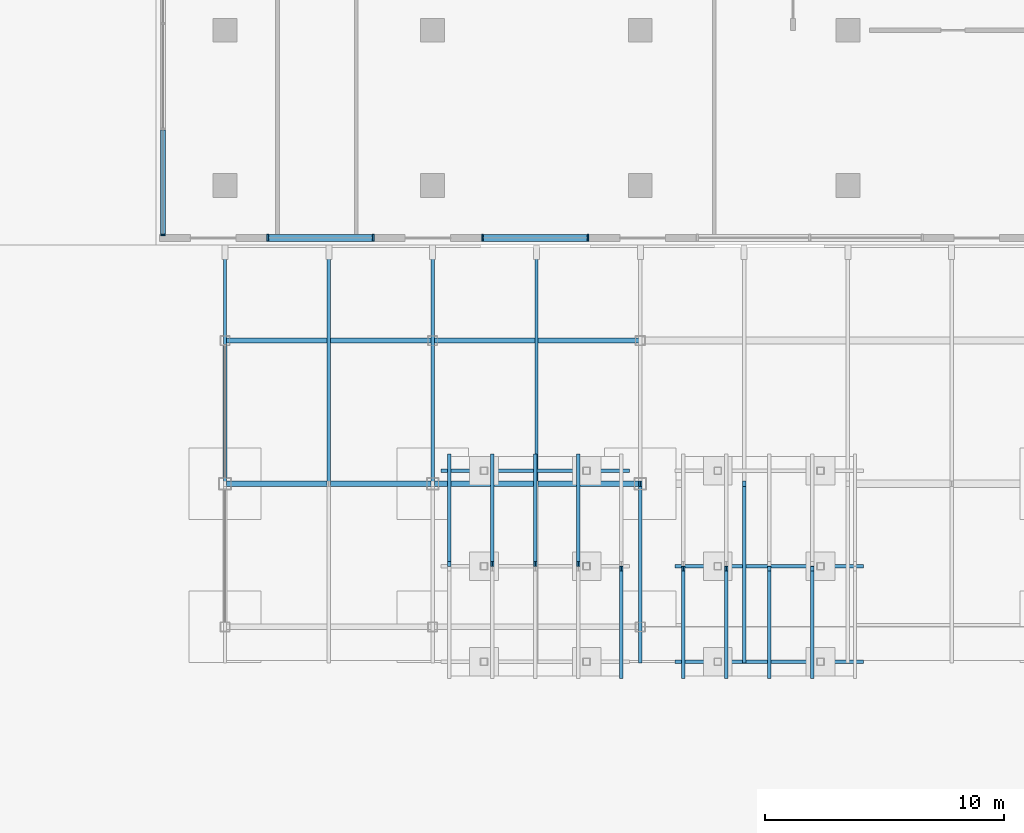
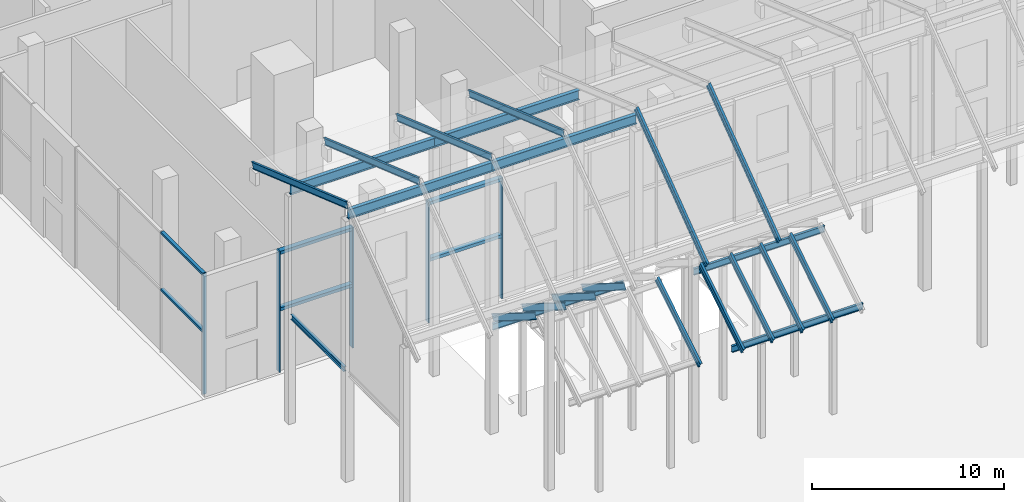
# One storey, part 8 of 31: 23 beams, 11 members, 3 elements without a shape of their own.
"""IFC4 building model written with IfcOpenShell, lengths in metres."""

from ifc_helpers import new_model, si_unit, direction, frame, origin, origin_2d, place, context, subcontext, project, spatial, rectangle, i_section, extrude, material, material_profile, profile_set, type_object, element, aggregate, save


model = new_model("IFC4")

# Units and contexts
model_context = context("Model", 3, precision=1e-05, world=origin(), true_north=direction((0.0, 1.0)))
body_context = subcontext(model_context, "Body", "Model", "MODEL_VIEW")
ifc_project = project(units=[si_unit("LENGTHUNIT", "METRE"), si_unit("AREAUNIT", "SQUARE_METRE"), si_unit("VOLUMEUNIT", "CUBIC_METRE"), si_unit("PLANEANGLEUNIT", "RADIAN"), si_unit("MASSUNIT", "GRAM", prefix="KILO")], contexts=[model_context])

# Site, building, storey
site_placement = place(None, origin())
site = spatial("IfcSite", under=ifc_project, at=site_placement, CompositionType="ELEMENT")
building_placement = place(site_placement, origin())
building = spatial("IfcBuilding", under=site, at=building_placement, Name="Bicima Exchange Tower", CompositionType="ELEMENT")
storey_placement = place(building_placement, origin())
storey = spatial("IfcBuildingStorey", under=building, at=storey_placement, Name="L00", CompositionType="ELEMENT", Elevation=0.0)

# Curtain wall, members
ifc_material_1 = material(Name="Stainless steel", Category="steel")
curtain_wall_type_1 = type_object("IfcCurtainWallType", Name="Hall structural glazing", PredefinedType="NOTDEFINED", material=ifc_material_1)
curtain_wall_1_placement = place(storey_placement, origin())
curtain_wall_1 = element("IfcCurtainWall", 1, at=curtain_wall_1_placement, inside=storey, type_object=curtain_wall_type_1, Name="Podium glazing L00 south 2", PredefinedType="NOTDEFINED")
ifc_material_profile_1 = material_profile(ifc_material_1, rectangle(XDim=0.300048828125, YDim=0.080078125, at=origin_2d()))
ifc_profile_set_1 = profile_set([ifc_material_profile_1], Name="Stainless steel")
member_type_1 = type_object("IfcMemberType", Name="Hall structural glazing mullion 80 x 300", PredefinedType="MULLION", material=ifc_profile_set_1)
member_1_placement = place(storey_placement, frame((-41.7099609375, -53.699951171875, 0.0), z_axis=(0.0, 0.0, 1.0), x_axis=(0.0, 1.0, 0.0)))
member_1 = element("IfcMember", 2, at=member_1_placement, type_object=member_type_1, Name="Hall structural glazing mullion 1", PredefinedType="MULLION", context=body_context, shape_type="SweptSolid", body=[
    extrude(rectangle(XDim=0.300048828125, YDim=0.080078125, at=origin_2d()), origin(), (0.0, 0.0, 1.0), 7.699951171875),
])
member_2_placement = place(storey_placement, frame((-37.2900390625, -53.699951171875, 0.0), z_axis=(0.0, 0.0, 1.0), x_axis=(0.0, 1.0, 0.0)))
member_2 = element("IfcMember", 3, at=member_2_placement, type_object=member_type_1, Name="Hall structural glazing mullion 2", PredefinedType="MULLION", context=body_context, shape_type="SweptSolid", body=[
    extrude(rectangle(XDim=0.300048828125, YDim=0.080078125, at=origin_2d()), origin(), (0.0, 0.0, 1.0), 7.699951171875),
])

curtain_wall_2_placement = place(storey_placement, origin())
curtain_wall_2 = element("IfcCurtainWall", 4, at=curtain_wall_2_placement, inside=storey, type_object=curtain_wall_type_1, Name="Podium glazing L00 south 4", PredefinedType="NOTDEFINED")
member_3_placement = place(storey_placement, frame((-32.7099609375, -53.699951171875, 0.0), z_axis=(0.0, 0.0, 1.0), x_axis=(0.0, 1.0, 0.0)))
member_3 = element("IfcMember", 5, at=member_3_placement, type_object=member_type_1, Name="Hall structural glazing mullion 1", PredefinedType="MULLION", context=body_context, shape_type="SweptSolid", body=[
    extrude(rectangle(XDim=0.300048828125, YDim=0.080078125, at=origin_2d()), origin(), (0.0, 0.0, 1.0), 7.699951171875),
])
member_4_placement = place(storey_placement, frame((-28.2900390625, -53.699951171875, 0.0), z_axis=(0.0, 0.0, 1.0), x_axis=(0.0, 1.0, 0.0)))
member_4 = element("IfcMember", 6, at=member_4_placement, type_object=member_type_1, Name="Hall structural glazing mullion 2", PredefinedType="MULLION", context=body_context, shape_type="SweptSolid", body=[
    extrude(rectangle(XDim=0.300048828125, YDim=0.080078125, at=origin_2d()), origin(), (0.0, 0.0, 1.0), 7.699951171875),
])

# Member
ifc_material_profile_2 = material_profile(ifc_material_1, rectangle(XDim=0.300048828125, YDim=0.199951171875, at=origin_2d()))
ifc_profile_set_2 = profile_set([ifc_material_profile_2], Name="Stainless steel")
member_type_2 = type_object("IfcMemberType", Name="Hall structural glazing transom 200 x 300", PredefinedType="USERDEFINED", material=ifc_profile_set_2)
member_5_placement = place(storey_placement, frame((-41.669921875, -53.699951171875, 4.0), z_axis=(1.0, 0.0, 0.0), x_axis=(0.0, 1.0, 0.0)))
member_5 = element("IfcMember", 7, at=member_5_placement, type_object=member_type_2, Name="Hall structural glazing transom 1.1", ObjectType="TRANSOM", PredefinedType="USERDEFINED", context=body_context, shape_type="SweptSolid", body=[
    extrude(rectangle(XDim=0.300048828125, YDim=0.199951171875, at=origin_2d()), origin(), (0.0, 0.0, 1.0), 4.33984375),
])

member_6_placement = place(storey_placement, frame((-41.669921875, -53.699951171875, 7.60009765625), z_axis=(1.0, 0.0, 0.0), x_axis=(0.0, 1.0, 0.0)))
member_6 = element("IfcMember", 8, at=member_6_placement, type_object=member_type_2, Name="Hall structural glazing transom 1.2", ObjectType="TRANSOM", PredefinedType="USERDEFINED", context=body_context, shape_type="SweptSolid", body=[
    extrude(rectangle(XDim=0.300048828125, YDim=0.199951171875, at=origin_2d()), origin(), (0.0, 0.0, 1.0), 4.33984375),
])

aggregate(curtain_wall_1, [member_1, member_2, member_5, member_6])

member_7_placement = place(storey_placement, frame((-32.669921875, -53.699951171875, 4.0), z_axis=(1.0, 0.0, 0.0), x_axis=(0.0, 1.0, 0.0)))
member_7 = element("IfcMember", 9, at=member_7_placement, type_object=member_type_2, Name="Hall structural glazing transom 1.1", ObjectType="TRANSOM", PredefinedType="USERDEFINED", context=body_context, shape_type="SweptSolid", body=[
    extrude(rectangle(XDim=0.300048828125, YDim=0.199951171875, at=origin_2d()), origin(), (0.0, 0.0, 1.0), 4.33984375),
])

member_8_placement = place(storey_placement, frame((-32.669921875, -53.699951171875, 7.60009765625), z_axis=(1.0, 0.0, 0.0), x_axis=(0.0, 1.0, 0.0)))
member_8 = element("IfcMember", 10, at=member_8_placement, type_object=member_type_2, Name="Hall structural glazing transom 1.2", ObjectType="TRANSOM", PredefinedType="USERDEFINED", context=body_context, shape_type="SweptSolid", body=[
    extrude(rectangle(XDim=0.300048828125, YDim=0.199951171875, at=origin_2d()), origin(), (0.0, 0.0, 1.0), 4.33984375),
])

aggregate(curtain_wall_2, [member_3, member_4, member_7, member_8])

# Curtain wall, members
ifc_material_2 = material(Name="Anodised bronze aluminium", Category="aluminium")
curtain_wall_type_2 = type_object("IfcCurtainWallType", Name="Lobby glazing", PredefinedType="NOTDEFINED", material=ifc_material_2)
curtain_wall_3_placement = place(storey_placement, origin())
curtain_wall_3 = element("IfcCurtainWall", 11, at=curtain_wall_3_placement, inside=storey, type_object=curtain_wall_type_2, Name="Podium glazing L00 west 8", PredefinedType="NOTDEFINED")
ifc_material_profile_3 = material_profile(ifc_material_2, rectangle(XDim=0.199951171875, YDim=0.06005859375, at=origin_2d()))
ifc_profile_set_3 = profile_set([ifc_material_profile_3], Name="Anodised bronze aluminium")
member_type_3 = type_object("IfcMemberType", Name="Lobby glazing mullion 60 x 200", PredefinedType="MULLION", material=ifc_profile_set_3)
member_9_placement = place(storey_placement, frame((-46.10009765625, -53.570068359375, 0.0), z_axis=(0.0, 0.0, 1.0), x_axis=(1.0, 0.0, 0.0)))
member_9 = element("IfcMember", 12, at=member_9_placement, type_object=member_type_3, Name="Lobby glazing mullion 4", PredefinedType="MULLION", context=body_context, shape_type="SweptSolid", body=[
    extrude(rectangle(XDim=0.199951171875, YDim=0.06005859375, at=origin_2d()), origin(), (0.0, 0.0, 1.0), 7.699951171875),
])
ifc_material_profile_4 = material_profile(ifc_material_2, rectangle(XDim=0.199951171875, YDim=0.139892578125, at=origin_2d()))
ifc_profile_set_4 = profile_set([ifc_material_profile_4], Name="Anodised bronze aluminium")
member_type_4 = type_object("IfcMemberType", Name="Lobby glazing transom 140 x 200", PredefinedType="USERDEFINED", material=ifc_profile_set_4)
member_10_placement = place(storey_placement, frame((-46.10009765625, -49.169921875, 4.0), z_axis=(0.0, -1.0, 0.0), x_axis=(1.0, 0.0, 0.0)))
member_10 = element("IfcMember", 13, at=member_10_placement, type_object=member_type_4, Name="Lobby glazing transom 3.1", ObjectType="TRANSOM", PredefinedType="USERDEFINED", context=body_context, shape_type="SweptSolid", body=[
    extrude(rectangle(XDim=0.199951171875, YDim=0.139892578125, at=origin_2d()), origin(), (0.0, 0.0, 1.0), 4.3701171875),
])
member_11_placement = place(storey_placement, frame((-46.10009765625, -49.169921875, 7.6298828125), z_axis=(0.0, -1.0, 0.0), x_axis=(1.0, 0.0, 0.0)))
member_11 = element("IfcMember", 14, at=member_11_placement, type_object=member_type_4, Name="Lobby glazing transom 3.2", ObjectType="TRANSOM", PredefinedType="USERDEFINED", context=body_context, shape_type="SweptSolid", body=[
    extrude(rectangle(XDim=0.199951171875, YDim=0.139892578125, at=origin_2d()), origin(), (0.0, 0.0, 1.0), 4.3701171875),
])
aggregate(curtain_wall_3, [member_9, member_10, member_11])

# Beams
ifc_material_3 = material(Name="Steel ASTM A992 Gr 50", Category="steel")
ifc_material_profile_5 = material_profile(ifc_material_3, i_section(OverallWidth=0.140380859375, OverallDepth=0.40380859375, WebThickness=0.007080078125, FlangeThickness=0.01123046875, at=origin_2d()))
ifc_profile_set_5 = profile_set([ifc_material_profile_5], Name="Steel ASTM A992 Gr 50")
beam_type_1 = type_object("IfcBeamType", Name="Pavilion eaves girder W16x31", PredefinedType="BEAM", material=ifc_profile_set_5)
for number, where, z_axis, x_axis, name in (
    (15, (-34.449951171875, -63.4599609375, 6.201904296875), (1.0, 0.0, 0.0), (0.0, 1.0, 0.0), "Pavilion eaves girder"),
    (16, (-24.64990234375, -71.4599609375, 6.201904296875), (1.0, 0.0, 0.0), (0.0, 1.0, 0.0), "Pavilion eaves girder"),
):
    element("IfcBeam", number, at=place(storey_placement, frame(where, z_axis=z_axis, x_axis=x_axis)), inside=storey, type_object=beam_type_1, Name=name, PredefinedType="BEAM", context=body_context, shape_type="SweptSolid", body=[
        extrude(i_section(OverallWidth=0.140380859375, OverallDepth=0.40380859375, WebThickness=0.007080078125, FlangeThickness=0.01123046875, at=origin_2d()), origin(), (0.0, 0.0, 1.0), 7.89990234375),
    ])
beam_type_2 = type_object("IfcBeamType", Name="Pavilion rafter W16x31", PredefinedType="BEAM", material=ifc_profile_set_5)
for number, where, z_axis, x_axis, name in (
    (17, (-34.10009765625, -62.860107421875, 6.310791015625), (0.0, -0.848039657914, 0.529932768004), (1.0, 0.0, 0.0), "Pavilion rafter"),
    (18, (-32.300048828125, -62.860107421875, 6.310791015625), (0.0, -0.848039657914, 0.529932768004), (1.0, 0.0, 0.0), "Pavilion rafter"),
    (19, (-30.5, -62.860107421875, 6.310791015625), (0.0, -0.848039657914, 0.529932768004), (1.0, 0.0, 0.0), "Pavilion rafter"),
    (20, (-28.699951171875, -62.860107421875, 6.310791015625), (0.0, -0.848039657914, 0.529932768004), (1.0, 0.0, 0.0), "Pavilion rafter"),
    (21, (-26.89990234375, -67.56005859375, 9.122802734375), (0.0, -0.848039657914, -0.529932768004), (1.0, 0.0, 0.0), "Pavilion rafter"),
    (22, (-24.300048828125, -67.56005859375, 9.122802734375), (0.0, -0.848039657914, -0.529932768004), (1.0, 0.0, 0.0), "Pavilion rafter"),
    (23, (-22.5, -67.56005859375, 9.122802734375), (0.0, -0.848039657914, -0.529932768004), (1.0, 0.0, 0.0), "Pavilion rafter"),
    (24, (-20.699951171875, -67.56005859375, 9.122802734375), (0.0, -0.848039657914, -0.529932768004), (1.0, 0.0, 0.0), "Pavilion rafter"),
    (25, (-18.89990234375, -67.56005859375, 9.122802734375), (0.0, -0.848039657914, -0.529932768004), (1.0, 0.0, 0.0), "Pavilion rafter"),
):
    element("IfcBeam", number, at=place(storey_placement, frame(where, z_axis=z_axis, x_axis=x_axis)), inside=storey, type_object=beam_type_2, Name=name, PredefinedType="BEAM", context=body_context, shape_type="SweptSolid", body=[
        extrude(i_section(OverallWidth=0.140380859375, OverallDepth=0.40380859375, WebThickness=0.007080078125, FlangeThickness=0.01123046875, at=origin_2d()), origin(), (0.0, 0.0, 1.0), 5.306396484375),
    ])
beam_type_3 = type_object("IfcBeamType", Name="Pavilion ridge girder W16x31", PredefinedType="BEAM", material=ifc_profile_set_5)
beam_1_placement = place(storey_placement, frame((-24.64990234375, -67.4599609375, 8.701416015625), z_axis=(1.0, 0.0, 0.0), x_axis=(0.0, 1.0, 0.0)))
element("IfcBeam", 26, at=beam_1_placement, inside=storey, type_object=beam_type_3, Name="Pavilion ridge girder", PredefinedType="BEAM", context=body_context, shape_type="SweptSolid", body=[
    extrude(i_section(OverallWidth=0.140380859375, OverallDepth=0.40380859375, WebThickness=0.007080078125, FlangeThickness=0.01123046875, at=origin_2d()), origin(), (0.0, 0.0, 1.0), 7.89990234375),
])
ifc_material_profile_6 = material_profile(ifc_material_3, i_section(OverallWidth=0.164794921875, OverallDepth=0.309814453125, WebThickness=0.005859375, FlangeThickness=0.009765625, at=origin_2d()))
ifc_profile_set_6 = profile_set([ifc_material_profile_6], Name="Steel ASTM A992 Gr 50")
beam_type_4 = type_object("IfcBeamType", Name="Portico end transom W12x26", PredefinedType="BEAM", material=ifc_profile_set_6)
beam_2_placement = place(storey_placement, frame((-43.5, -58.203125, 6.84521484375), z_axis=(0.0, -1.0, 0.0), x_axis=(1.0, 0.0, 0.0)))
element("IfcBeam", 27, at=beam_2_placement, inside=storey, type_object=beam_type_4, Name="Portico end transom", PredefinedType="BEAM", context=body_context, shape_type="SweptSolid", body=[
    extrude(i_section(OverallWidth=0.164794921875, OverallDepth=0.309814453125, WebThickness=0.005859375, FlangeThickness=0.009765625, at=origin_2d()), origin(), (0.0, 0.0, 1.0), 5.54296875),
])
ifc_material_profile_7 = material_profile(ifc_material_3, i_section(OverallWidth=0.227783203125, OverallDepth=0.60205078125, WebThickness=0.010498046875, FlangeThickness=0.014892578125, at=origin_2d()))
ifc_profile_set_7 = profile_set([ifc_material_profile_7], Name="Steel ASTM A992 Gr 50")
beam_type_5 = type_object("IfcBeamType", Name="Portico girder W24x68", PredefinedType="BEAM", material=ifc_profile_set_7)
for number, where, z_axis, x_axis, name in (
    (28, (-43.5, -58.0, 14.80517578125), (1.0, 0.0, 0.0), (0.0, 1.0, 0.0), "Portico girder"),
    (29, (-34.800048828125, -58.0, 14.80517578125), (1.0, 0.0, 0.0), (0.0, 1.0, 0.0), "Portico girder"),
    (30, (-43.5, -64.0, 16.897216796875), (1.0, 0.0, 0.0), (0.0, 1.0, 0.0), "Portico girder"),
    (31, (-34.800048828125, -64.0, 16.897216796875), (1.0, 0.0, 0.0), (0.0, 1.0, 0.0), "Portico girder"),
):
    element("IfcBeam", number, at=place(storey_placement, frame(where, z_axis=z_axis, x_axis=x_axis)), inside=storey, type_object=beam_type_5, Name=name, PredefinedType="BEAM", context=body_context, shape_type="SweptSolid", body=[
        extrude(i_section(OverallWidth=0.227783203125, OverallDepth=0.60205078125, WebThickness=0.010498046875, FlangeThickness=0.014892578125, at=origin_2d()), origin(), (0.0, 0.0, 1.0), 8.699951171875),
    ])
beam_type_6 = type_object("IfcBeamType", Name="Portico rafter W16x31", PredefinedType="BEAM", material=ifc_profile_set_5)
for number, where, z_axis, x_axis, name in (
    (32, (-43.5, -54.10009765625, 14.0), (0.0, -0.944282340982, 0.329136537791), (1.0, 0.0, 0.0), "Portico rafter"),
    (33, (-39.14990234375, -54.10009765625, 14.0), (0.0, -0.944282340982, 0.329136537791), (1.0, 0.0, 0.0), "Portico rafter"),
    (34, (-34.800048828125, -54.10009765625, 14.0), (0.0, -0.944282340982, 0.329136537791), (1.0, 0.0, 0.0), "Portico rafter"),
    (35, (-30.449951171875, -54.10009765625, 14.0), (0.0, -0.944282340982, 0.329136537791), (1.0, 0.0, 0.0), "Portico rafter"),
):
    element("IfcBeam", number, at=place(storey_placement, frame(where, z_axis=z_axis, x_axis=x_axis)), inside=storey, type_object=beam_type_6, Name=name, PredefinedType="BEAM", context=body_context, shape_type="SweptSolid", body=[
        extrude(i_section(OverallWidth=0.140380859375, OverallDepth=0.40380859375, WebThickness=0.007080078125, FlangeThickness=0.01123046875, at=origin_2d()), origin(), (0.0, 0.0, 1.0), 10.484130859375),
    ])
for number, where, z_axis, x_axis, name in (
    (36, (-26.10009765625, -64.0, 17.53125), (0.0, -0.800969313172, -0.598705402812), (1.0, 0.0, 0.0), "Portico rafter"),
    (37, (-21.75, -64.0, 17.53125), (0.0, -0.800969313172, -0.598705402812), (1.0, 0.0, 0.0), "Portico rafter"),
):
    element("IfcBeam", number, at=place(storey_placement, frame(where, z_axis=z_axis, x_axis=x_axis)), inside=storey, type_object=beam_type_6, Name=name, PredefinedType="BEAM", context=body_context, shape_type="SweptSolid", body=[
        extrude(i_section(OverallWidth=0.140380859375, OverallDepth=0.40380859375, WebThickness=0.007080078125, FlangeThickness=0.01123046875, at=origin_2d()), origin(), (0.0, 0.0, 1.0), 9.23876953125),
    ])

save(model, "model.ifc")
